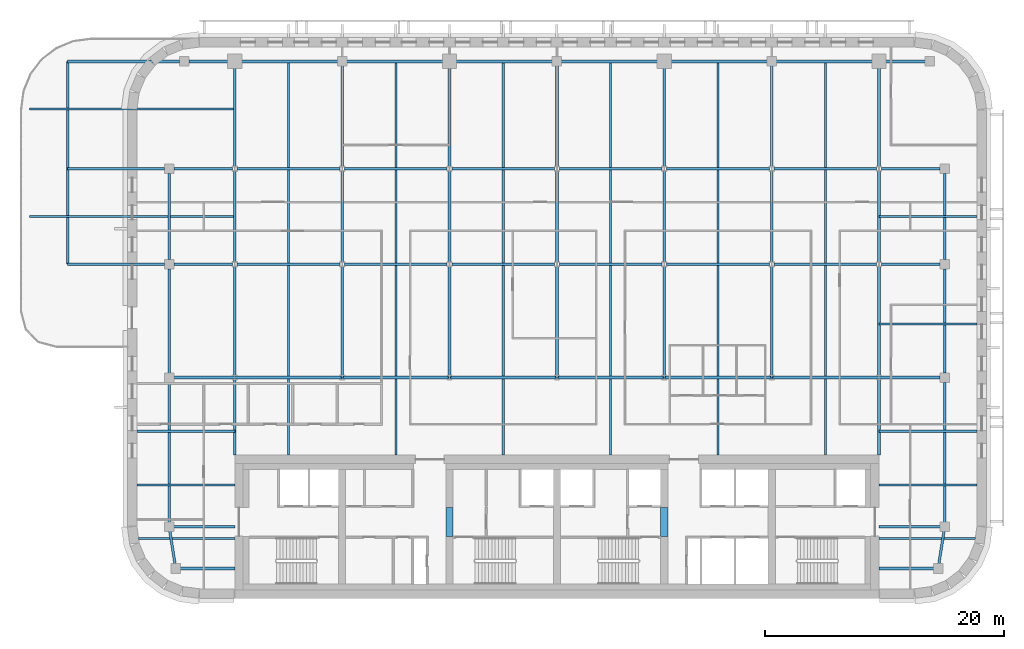
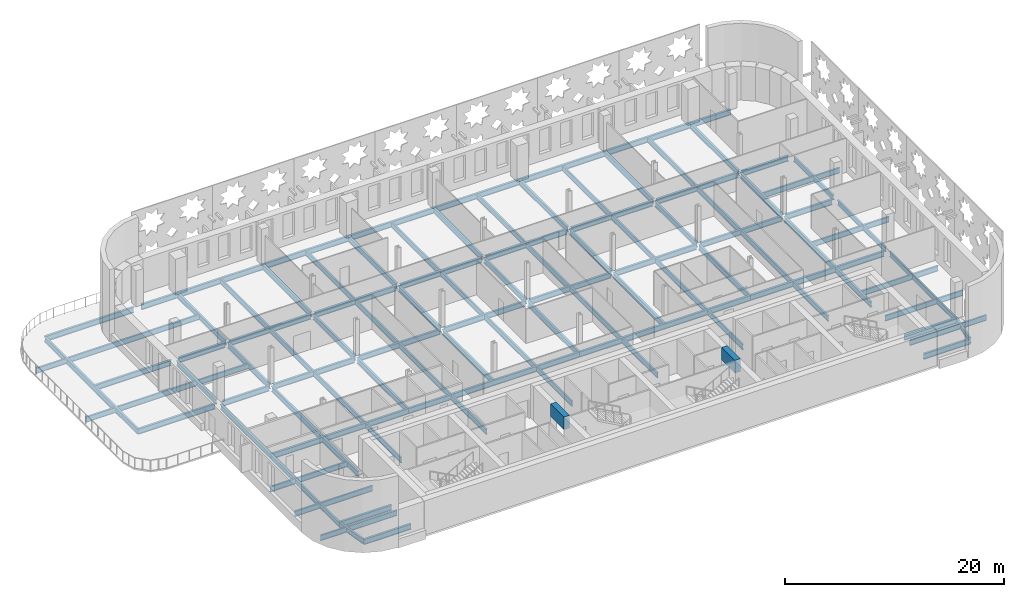
# One storey, part 4 of 17: 80 beams.
"""IFC4 building model written with IfcOpenShell, lengths in metres."""

from ifc_helpers import new_model, si_unit, direction, frame, origin, origin_2d, place, context, subcontext, project, spatial, rectangle, i_section, extrude, material, material_profile, profile_set, type_object, element, save


model = new_model("IFC4")

# Units and contexts
model_context = context("Model", 3, precision=1e-05, world=origin(), true_north=direction((0.0, 1.0)))
body_context = subcontext(model_context, "Body", "Model", "MODEL_VIEW")
ifc_project = project(units=[si_unit("LENGTHUNIT", "METRE"), si_unit("AREAUNIT", "SQUARE_METRE"), si_unit("VOLUMEUNIT", "CUBIC_METRE"), si_unit("PLANEANGLEUNIT", "RADIAN"), si_unit("MASSUNIT", "GRAM", prefix="KILO")], contexts=[model_context])

# Site, building, storey
site_placement = place(None, origin())
site = spatial("IfcSite", under=ifc_project, at=site_placement, CompositionType="ELEMENT")
building_placement = place(site_placement, origin())
building = spatial("IfcBuilding", under=site, at=building_placement, Name="Zellij Exchange Tower", CompositionType="ELEMENT")
storey_placement = place(building_placement, frame((0.0, 0.0, 256.5)))
storey = spatial("IfcBuildingStorey", under=building, at=storey_placement, Name="L60", CompositionType="ELEMENT", Elevation=256.5)

# Beams
ifc_material_1 = material(Name="Concrete C50/60", Category="concrete")
ifc_material_profile_1 = material_profile(ifc_material_1, rectangle(XDim=0.60009765625, YDim=1.39990234375, at=origin_2d()), Name="CORE-CB 600x1400 C50/60")
ifc_profile_set_1 = profile_set([ifc_material_profile_1], Name="Concrete C50/60")
beam_type_1 = type_object("IfcBeamType", Name="CORE-CB 600x1400 C50/60", PredefinedType="BEAM", material=ifc_profile_set_1)
for number, where, z_axis, x_axis, name in (
    (1, (-9.0, -8.800048828125, 3.10009765625), (0.0, 1.0, 0.0), (-1.0, 0.0, 0.0), "Core coupling beam x -9 L60"),
    (2, (9.0, -8.800048828125, 3.10009765625), (0.0, 1.0, 0.0), (-1.0, 0.0, 0.0), "Core coupling beam x 9 L60"),
):
    element("IfcBeam", number, at=place(storey_placement, frame(where, z_axis=z_axis, x_axis=x_axis)), inside=storey, type_object=beam_type_1, Name=name, PredefinedType="BEAM", context=body_context, shape_type="SweptSolid", body=[
        extrude(rectangle(XDim=0.60009765625, YDim=1.39990234375, at=origin_2d()), origin(), (0.0, 0.0, 1.0), 2.425048828125),
    ])
ifc_material_2 = material(Name="Structural steel ASTM A992 Gr 50", Category="steel")
ifc_material_profile_2 = material_profile(ifc_material_2, i_section(OverallWidth=0.177978515625, OverallDepth=0.599365234375, WebThickness=0.010009765625, FlangeThickness=0.012939453125, at=origin_2d()), Name="W24x55")
ifc_profile_set_2 = profile_set([ifc_material_profile_2], Name="Structural steel ASTM A992 Gr 50")
beam_type_2 = type_object("IfcBeamType", Name="STR-BEAM W24x55", PredefinedType="BEAM", material=ifc_profile_set_2)
for number, where, z_axis, x_axis, name in (
    (3, (-22.5, -2.0, -0.499755859375), (0.0, 1.0, 0.0), (-1.0, 0.0, 0.0), "B4"),
    (4, (-13.5, -2.0, -0.499755859375), (0.0, 1.0, 0.0), (-1.0, 0.0, 0.0), "B4"),
    (5, (-4.5, -2.0, -0.499755859375), (0.0, 1.0, 0.0), (-1.0, 0.0, 0.0), "B4"),
    (6, (4.5, -2.0, -0.499755859375), (0.0, 1.0, 0.0), (-1.0, 0.0, 0.0), "B4"),
    (7, (13.5, -2.0, -0.499755859375), (0.0, 1.0, 0.0), (-1.0, 0.0, 0.0), "B4"),
    (8, (22.5, -2.0, -0.499755859375), (0.0, 1.0, 0.0), (-1.0, 0.0, 0.0), "B4"),
):
    element("IfcBeam", number, at=place(storey_placement, frame(where, z_axis=z_axis, x_axis=x_axis)), inside=storey, type_object=beam_type_2, Name=name, PredefinedType="BEAM", context=body_context, shape_type="SweptSolid", body=[
        extrude(i_section(OverallWidth=0.177978515625, OverallDepth=0.599365234375, WebThickness=0.010009765625, FlangeThickness=0.012939453125, at=origin_2d()), origin(), (0.0, 0.0, 1.0), 33.1142578125),
    ])
beam_1_placement = place(storey_placement, frame((-35.06103515625, -9.0, -0.499755859375), z_axis=(1.0, 0.0, 0.0), x_axis=(0.0, 1.0, 0.0)))
element("IfcBeam", 9, at=beam_1_placement, inside=storey, type_object=beam_type_2, Name="B4", PredefinedType="BEAM", context=body_context, shape_type="SweptSolid", body=[
    extrude(i_section(OverallWidth=0.177978515625, OverallDepth=0.599365234375, WebThickness=0.010009765625, FlangeThickness=0.012939453125, at=origin_2d()), origin(), (0.0, 0.0, 1.0), 8.06103515625),
])
for number, where, z_axis, x_axis, name in (
    (10, (-35.199951171875, -4.5, -0.499755859375), (1.0, 0.0, 0.0), (0.0, 1.0, 0.0), "B4"),
    (11, (-35.199951171875, 0.0, -0.499755859375), (1.0, 0.0, 0.0), (0.0, 1.0, 0.0), "B4"),
):
    element("IfcBeam", number, at=place(storey_placement, frame(where, z_axis=z_axis, x_axis=x_axis)), inside=storey, type_object=beam_type_2, Name=name, PredefinedType="BEAM", context=body_context, shape_type="SweptSolid", body=[
        extrude(i_section(OverallWidth=0.177978515625, OverallDepth=0.599365234375, WebThickness=0.010009765625, FlangeThickness=0.012939453125, at=origin_2d()), origin(), (0.0, 0.0, 1.0), 8.199951171875),
    ])
beam_2_placement = place(storey_placement, frame((-44.199951171875, 18.0, -0.499755859375), z_axis=(1.0, 0.0, 0.0), x_axis=(0.0, 1.0, 0.0)))
element("IfcBeam", 12, at=beam_2_placement, inside=storey, type_object=beam_type_2, Name="B4", PredefinedType="BEAM", context=body_context, shape_type="SweptSolid", body=[
    extrude(i_section(OverallWidth=0.177978515625, OverallDepth=0.599365234375, WebThickness=0.010009765625, FlangeThickness=0.012939453125, at=origin_2d()), origin(), (0.0, 0.0, 1.0), 17.199951171875),
])
beam_3_placement = place(storey_placement, frame((-44.193115234375, 27.0, -0.499755859375), z_axis=(1.0, 0.0, 0.0), x_axis=(0.0, 1.0, 0.0)))
element("IfcBeam", 13, at=beam_3_placement, inside=storey, type_object=beam_type_2, Name="B4", PredefinedType="BEAM", context=body_context, shape_type="SweptSolid", body=[
    extrude(i_section(OverallWidth=0.177978515625, OverallDepth=0.599365234375, WebThickness=0.010009765625, FlangeThickness=0.012939453125, at=origin_2d()), origin(), (0.0, 0.0, 1.0), 17.193115234375),
])
beam_4_placement = place(storey_placement, frame((27.0, -9.0, -0.499755859375), z_axis=(1.0, 0.0, 0.0), x_axis=(0.0, 1.0, 0.0)))
element("IfcBeam", 14, at=beam_4_placement, inside=storey, type_object=beam_type_2, Name="B4", PredefinedType="BEAM", context=body_context, shape_type="SweptSolid", body=[
    extrude(i_section(OverallWidth=0.177978515625, OverallDepth=0.599365234375, WebThickness=0.010009765625, FlangeThickness=0.012939453125, at=origin_2d()), origin(), (0.0, 0.0, 1.0), 8.06103515625),
])
for number, where, z_axis, x_axis, name in (
    (15, (27.0, -4.5, -0.499755859375), (1.0, 0.0, 0.0), (0.0, 1.0, 0.0), "B4"),
    (16, (27.0, 0.0, -0.499755859375), (1.0, 0.0, 0.0), (0.0, 1.0, 0.0), "B4"),
    (17, (27.0, 9.0, -0.499755859375), (1.0, 0.0, 0.0), (0.0, 1.0, 0.0), "B4"),
    (18, (27.0, 18.0, -0.499755859375), (1.0, 0.0, 0.0), (0.0, 1.0, 0.0), "B4"),
):
    element("IfcBeam", number, at=place(storey_placement, frame(where, z_axis=z_axis, x_axis=x_axis)), inside=storey, type_object=beam_type_2, Name=name, PredefinedType="BEAM", context=body_context, shape_type="SweptSolid", body=[
        extrude(i_section(OverallWidth=0.177978515625, OverallDepth=0.599365234375, WebThickness=0.010009765625, FlangeThickness=0.012939453125, at=origin_2d()), origin(), (0.0, 0.0, 1.0), 8.199951171875),
    ])
ifc_material_profile_3 = material_profile(ifc_material_2, i_section(OverallWidth=0.209228515625, OverallDepth=0.533447265625, WebThickness=0.01025390625, FlangeThickness=0.015625, at=origin_2d()), Name="W21x62")
ifc_profile_set_3 = profile_set([ifc_material_profile_3], Name="Structural steel ASTM A992 Gr 50")
beam_type_3 = type_object("IfcBeamType", Name="STR-EDGE GIRDER W21x62", PredefinedType="BEAM", material=ifc_profile_set_3)
beam_5_placement = place(storey_placement, frame((-31.949951171875, -11.5, -0.466796875), z_axis=(-0.155251283593, 0.987875011802, 0.0), x_axis=(-0.987875011802, -0.155251283593, 0.0)))
element("IfcBeam", 19, at=beam_5_placement, inside=storey, type_object=beam_type_3, Name="EB3", PredefinedType="BEAM", context=body_context, shape_type="SweptSolid", body=[
    extrude(i_section(OverallWidth=0.209228515625, OverallDepth=0.533447265625, WebThickness=0.01025390625, FlangeThickness=0.015625, at=origin_2d()), origin(), (0.0, 0.0, 1.0), 3.54296875),
])
beam_6_placement = place(storey_placement, frame((-32.5, -8.0, -0.466796875), z_axis=(0.0, 1.0, 0.0), x_axis=(-1.0, 0.0, 0.0)))
element("IfcBeam", 20, at=beam_6_placement, inside=storey, type_object=beam_type_3, Name="EB3", PredefinedType="BEAM", context=body_context, shape_type="SweptSolid", body=[
    extrude(i_section(OverallWidth=0.209228515625, OverallDepth=0.533447265625, WebThickness=0.01025390625, FlangeThickness=0.015625, at=origin_2d()), origin(), (0.0, 0.0, 1.0), 12.5),
])
beam_7_placement = place(storey_placement, frame((-32.5, 4.5, -0.466796875), z_axis=(0.0, 1.0, 0.0), x_axis=(-1.0, 0.0, 0.0)))
element("IfcBeam", 21, at=beam_7_placement, inside=storey, type_object=beam_type_3, Name="EB3", PredefinedType="BEAM", context=body_context, shape_type="SweptSolid", body=[
    extrude(i_section(OverallWidth=0.209228515625, OverallDepth=0.533447265625, WebThickness=0.01025390625, FlangeThickness=0.015625, at=origin_2d()), origin(), (0.0, 0.0, 1.0), 9.10009765625),
])
beam_8_placement = place(storey_placement, frame((-32.5, 14.39990234375, -0.466796875), z_axis=(0.0, 1.0, 0.0), x_axis=(-1.0, 0.0, 0.0)))
element("IfcBeam", 22, at=beam_8_placement, inside=storey, type_object=beam_type_3, Name="EB3", PredefinedType="BEAM", context=body_context, shape_type="SweptSolid", body=[
    extrude(i_section(OverallWidth=0.209228515625, OverallDepth=0.533447265625, WebThickness=0.01025390625, FlangeThickness=0.015625, at=origin_2d()), origin(), (0.0, 0.0, 1.0), 7.2001953125),
])
beam_9_placement = place(storey_placement, frame((31.949951171875, -11.5, -0.466796875), z_axis=(0.155251283593, 0.987875011802, 0.0), x_axis=(-0.987875011802, 0.155251283593, 0.0)))
element("IfcBeam", 23, at=beam_9_placement, inside=storey, type_object=beam_type_3, Name="EB3", PredefinedType="BEAM", context=body_context, shape_type="SweptSolid", body=[
    extrude(i_section(OverallWidth=0.209228515625, OverallDepth=0.533447265625, WebThickness=0.01025390625, FlangeThickness=0.015625, at=origin_2d()), origin(), (0.0, 0.0, 1.0), 3.54296875),
])
beam_10_placement = place(storey_placement, frame((32.5, -8.0, -0.466796875), z_axis=(0.0, 1.0, 0.0), x_axis=(-1.0, 0.0, 0.0)))
element("IfcBeam", 24, at=beam_10_placement, inside=storey, type_object=beam_type_3, Name="EB3", PredefinedType="BEAM", context=body_context, shape_type="SweptSolid", body=[
    extrude(i_section(OverallWidth=0.209228515625, OverallDepth=0.533447265625, WebThickness=0.01025390625, FlangeThickness=0.015625, at=origin_2d()), origin(), (0.0, 0.0, 1.0), 12.10009765625),
])
beam_11_placement = place(storey_placement, frame((32.5, 4.89990234375, -0.466796875), z_axis=(0.0, 1.0, 0.0), x_axis=(-1.0, 0.0, 0.0)))
element("IfcBeam", 25, at=beam_11_placement, inside=storey, type_object=beam_type_3, Name="EB3", PredefinedType="BEAM", context=body_context, shape_type="SweptSolid", body=[
    extrude(i_section(OverallWidth=0.209228515625, OverallDepth=0.533447265625, WebThickness=0.01025390625, FlangeThickness=0.015625, at=origin_2d()), origin(), (0.0, 0.0, 1.0), 8.7001953125),
])
beam_12_placement = place(storey_placement, frame((32.5, 14.39990234375, -0.466796875), z_axis=(0.0, 1.0, 0.0), x_axis=(-1.0, 0.0, 0.0)))
element("IfcBeam", 26, at=beam_12_placement, inside=storey, type_object=beam_type_3, Name="EB3", PredefinedType="BEAM", context=body_context, shape_type="SweptSolid", body=[
    extrude(i_section(OverallWidth=0.209228515625, OverallDepth=0.533447265625, WebThickness=0.01025390625, FlangeThickness=0.015625, at=origin_2d()), origin(), (0.0, 0.0, 1.0), 7.2001953125),
])
ifc_material_profile_4 = material_profile(ifc_material_2, i_section(OverallWidth=0.228271484375, OverallDepth=0.607177734375, WebThickness=0.01123046875, FlangeThickness=0.017333984375, at=origin_2d()), Name="W24x76")
ifc_profile_set_4 = profile_set([ifc_material_profile_4], Name="Structural steel ASTM A992 Gr 50")
beam_type_4 = type_object("IfcBeamType", Name="STR-GIRDER W24x76", PredefinedType="BEAM", material=ifc_profile_set_4)
for number, where, z_axis, x_axis, name in (
    (27, (-31.949951171875, -11.5, -0.50341796875), (1.0, 0.0, 0.0), (0.0, 1.0, 0.0), "G2"),
    (28, (27.0, -11.5, -0.50341796875), (1.0, 0.0, 0.0), (0.0, 1.0, 0.0), "G2"),
):
    element("IfcBeam", number, at=place(storey_placement, frame(where, z_axis=z_axis, x_axis=x_axis)), inside=storey, type_object=beam_type_4, Name=name, PredefinedType="BEAM", context=body_context, shape_type="SweptSolid", body=[
        extrude(i_section(OverallWidth=0.228271484375, OverallDepth=0.607177734375, WebThickness=0.01123046875, FlangeThickness=0.017333984375, at=origin_2d()), origin(), (0.0, 0.0, 1.0), 4.949951171875),
    ])
for number, where, z_axis, x_axis, name in (
    (29, (-32.5, -8.0, -0.50341796875), (1.0, 0.0, 0.0), (0.0, 1.0, 0.0), "G2"),
    (30, (27.0, -8.0, -0.50341796875), (1.0, 0.0, 0.0), (0.0, 1.0, 0.0), "G2"),
):
    element("IfcBeam", number, at=place(storey_placement, frame(where, z_axis=z_axis, x_axis=x_axis)), inside=storey, type_object=beam_type_4, Name=name, PredefinedType="BEAM", context=body_context, shape_type="SweptSolid", body=[
        extrude(i_section(OverallWidth=0.228271484375, OverallDepth=0.607177734375, WebThickness=0.01123046875, FlangeThickness=0.017333984375, at=origin_2d()), origin(), (0.0, 0.0, 1.0), 5.5),
    ])
beam_13_placement = place(storey_placement, frame((-32.5, 4.5, -0.50341796875), z_axis=(1.0, 0.0, 0.0), x_axis=(0.0, 1.0, 0.0)))
element("IfcBeam", 31, at=beam_13_placement, inside=storey, type_object=beam_type_4, Name="G2", PredefinedType="BEAM", context=body_context, shape_type="SweptSolid", body=[
    extrude(i_section(OverallWidth=0.228271484375, OverallDepth=0.607177734375, WebThickness=0.01123046875, FlangeThickness=0.017333984375, at=origin_2d()), origin(), (0.0, 0.0, 1.0), 14.5),
])
for number, where, z_axis, x_axis, name in (
    (32, (-18.0, 4.5, -0.50341796875), (1.0, 0.0, 0.0), (0.0, 1.0, 0.0), "G2"),
    (33, (0.0, 4.5, -0.50341796875), (1.0, 0.0, 0.0), (0.0, 1.0, 0.0), "G2"),
):
    element("IfcBeam", number, at=place(storey_placement, frame(where, z_axis=z_axis, x_axis=x_axis)), inside=storey, type_object=beam_type_4, Name=name, PredefinedType="BEAM", context=body_context, shape_type="SweptSolid", body=[
        extrude(i_section(OverallWidth=0.228271484375, OverallDepth=0.607177734375, WebThickness=0.01123046875, FlangeThickness=0.017333984375, at=origin_2d()), origin(), (0.0, 0.0, 1.0), 18.0),
    ])
beam_14_placement = place(storey_placement, frame((18.0, 4.5, -0.50341796875), z_axis=(1.0, 0.0, 0.0), x_axis=(0.0, 1.0, 0.0)))
element("IfcBeam", 34, at=beam_14_placement, inside=storey, type_object=beam_type_4, Name="G2", PredefinedType="BEAM", context=body_context, shape_type="SweptSolid", body=[
    extrude(i_section(OverallWidth=0.228271484375, OverallDepth=0.607177734375, WebThickness=0.01123046875, FlangeThickness=0.017333984375, at=origin_2d()), origin(), (0.0, 0.0, 1.0), 14.10009765625),
])
beam_15_placement = place(storey_placement, frame((-41.0, 14.0, -0.50341796875), z_axis=(1.0, 0.0, 0.0), x_axis=(0.0, 1.0, 0.0)))
element("IfcBeam", 35, at=beam_15_placement, inside=storey, type_object=beam_type_4, Name="G2", PredefinedType="BEAM", context=body_context, shape_type="SweptSolid", body=[
    extrude(i_section(OverallWidth=0.228271484375, OverallDepth=0.607177734375, WebThickness=0.01123046875, FlangeThickness=0.017333984375, at=origin_2d()), origin(), (0.0, 0.0, 1.0), 8.10009765625),
])
beam_16_placement = place(storey_placement, frame((-32.10009765625, 14.0, -0.50341796875), z_axis=(1.0, 0.0, 0.0), x_axis=(0.0, 1.0, 0.0)))
element("IfcBeam", 36, at=beam_16_placement, inside=storey, type_object=beam_type_4, Name="G2", PredefinedType="BEAM", context=body_context, shape_type="SweptSolid", body=[
    extrude(i_section(OverallWidth=0.228271484375, OverallDepth=0.607177734375, WebThickness=0.01123046875, FlangeThickness=0.017333984375, at=origin_2d()), origin(), (0.0, 0.0, 1.0), 4.900634765625),
])
for number, where, z_axis, x_axis, name in (
    (37, (-26.800537109375, 14.0, -0.50341796875), (1.0, 0.0, 0.0), (0.0, 1.0, 0.0), "G2"),
    (38, (-17.800537109375, 14.0, -0.50341796875), (1.0, 0.0, 0.0), (0.0, 1.0, 0.0), "G2"),
    (39, (-8.800537109375, 14.0, -0.50341796875), (1.0, 0.0, 0.0), (0.0, 1.0, 0.0), "G2"),
    (40, (0.199462890625, 14.0, -0.50341796875), (1.0, 0.0, 0.0), (0.0, 1.0, 0.0), "G2"),
    (41, (9.199462890625, 14.0, -0.50341796875), (1.0, 0.0, 0.0), (0.0, 1.0, 0.0), "G2"),
    (42, (18.199462890625, 14.0, -0.50341796875), (1.0, 0.0, 0.0), (0.0, 1.0, 0.0), "G2"),
):
    element("IfcBeam", number, at=place(storey_placement, frame(where, z_axis=z_axis, x_axis=x_axis)), inside=storey, type_object=beam_type_4, Name=name, PredefinedType="BEAM", context=body_context, shape_type="SweptSolid", body=[
        extrude(i_section(OverallWidth=0.228271484375, OverallDepth=0.607177734375, WebThickness=0.01123046875, FlangeThickness=0.017333984375, at=origin_2d()), origin(), (0.0, 0.0, 1.0), 8.60107421875),
    ])
beam_17_placement = place(storey_placement, frame((27.199462890625, 14.0, -0.50341796875), z_axis=(1.0, 0.0, 0.0), x_axis=(0.0, 1.0, 0.0)))
element("IfcBeam", 43, at=beam_17_placement, inside=storey, type_object=beam_type_4, Name="G2", PredefinedType="BEAM", context=body_context, shape_type="SweptSolid", body=[
    extrude(i_section(OverallWidth=0.228271484375, OverallDepth=0.607177734375, WebThickness=0.01123046875, FlangeThickness=0.017333984375, at=origin_2d()), origin(), (0.0, 0.0, 1.0), 4.900634765625),
])
beam_18_placement = place(storey_placement, frame((-41.0, 22.0, -0.50341796875), z_axis=(1.0, 0.0, 0.0), x_axis=(0.0, 1.0, 0.0)))
element("IfcBeam", 44, at=beam_18_placement, inside=storey, type_object=beam_type_4, Name="G2", PredefinedType="BEAM", context=body_context, shape_type="SweptSolid", body=[
    extrude(i_section(OverallWidth=0.228271484375, OverallDepth=0.607177734375, WebThickness=0.01123046875, FlangeThickness=0.017333984375, at=origin_2d()), origin(), (0.0, 0.0, 1.0), 8.10009765625),
])
beam_19_placement = place(storey_placement, frame((-32.10009765625, 22.0, -0.50341796875), z_axis=(1.0, 0.0, 0.0), x_axis=(0.0, 1.0, 0.0)))
element("IfcBeam", 45, at=beam_19_placement, inside=storey, type_object=beam_type_4, Name="G2", PredefinedType="BEAM", context=body_context, shape_type="SweptSolid", body=[
    extrude(i_section(OverallWidth=0.228271484375, OverallDepth=0.607177734375, WebThickness=0.01123046875, FlangeThickness=0.017333984375, at=origin_2d()), origin(), (0.0, 0.0, 1.0), 4.900634765625),
])
for number, where, z_axis, x_axis, name in (
    (46, (-26.800537109375, 22.0, -0.50341796875), (1.0, 0.0, 0.0), (0.0, 1.0, 0.0), "G2"),
    (47, (-17.800537109375, 22.0, -0.50341796875), (1.0, 0.0, 0.0), (0.0, 1.0, 0.0), "G2"),
    (48, (-8.800537109375, 22.0, -0.50341796875), (1.0, 0.0, 0.0), (0.0, 1.0, 0.0), "G2"),
    (49, (0.199462890625, 22.0, -0.50341796875), (1.0, 0.0, 0.0), (0.0, 1.0, 0.0), "G2"),
    (50, (9.199462890625, 22.0, -0.50341796875), (1.0, 0.0, 0.0), (0.0, 1.0, 0.0), "G2"),
    (51, (18.199462890625, 22.0, -0.50341796875), (1.0, 0.0, 0.0), (0.0, 1.0, 0.0), "G2"),
):
    element("IfcBeam", number, at=place(storey_placement, frame(where, z_axis=z_axis, x_axis=x_axis)), inside=storey, type_object=beam_type_4, Name=name, PredefinedType="BEAM", context=body_context, shape_type="SweptSolid", body=[
        extrude(i_section(OverallWidth=0.228271484375, OverallDepth=0.607177734375, WebThickness=0.01123046875, FlangeThickness=0.017333984375, at=origin_2d()), origin(), (0.0, 0.0, 1.0), 8.60107421875),
    ])
beam_20_placement = place(storey_placement, frame((27.199462890625, 22.0, -0.50341796875), z_axis=(1.0, 0.0, 0.0), x_axis=(0.0, 1.0, 0.0)))
element("IfcBeam", 52, at=beam_20_placement, inside=storey, type_object=beam_type_4, Name="G2", PredefinedType="BEAM", context=body_context, shape_type="SweptSolid", body=[
    extrude(i_section(OverallWidth=0.228271484375, OverallDepth=0.607177734375, WebThickness=0.01123046875, FlangeThickness=0.017333984375, at=origin_2d()), origin(), (0.0, 0.0, 1.0), 4.900634765625),
])
beam_21_placement = place(storey_placement, frame((-41.0, 31.0, -0.50341796875), z_axis=(1.0, 0.0, 0.0), x_axis=(0.0, 1.0, 0.0)))
element("IfcBeam", 53, at=beam_21_placement, inside=storey, type_object=beam_type_4, Name="G2", PredefinedType="BEAM", context=body_context, shape_type="SweptSolid", body=[
    extrude(i_section(OverallWidth=0.228271484375, OverallDepth=0.607177734375, WebThickness=0.01123046875, FlangeThickness=0.017333984375, at=origin_2d()), origin(), (0.0, 0.0, 1.0), 9.35009765625),
])
beam_22_placement = place(storey_placement, frame((-30.85009765625, 31.0, -0.50341796875), z_axis=(1.0, 0.0, 0.0), x_axis=(0.0, 1.0, 0.0)))
element("IfcBeam", 54, at=beam_22_placement, inside=storey, type_object=beam_type_4, Name="G2", PredefinedType="BEAM", context=body_context, shape_type="SweptSolid", body=[
    extrude(i_section(OverallWidth=0.228271484375, OverallDepth=0.607177734375, WebThickness=0.01123046875, FlangeThickness=0.017333984375, at=origin_2d()), origin(), (0.0, 0.0, 1.0), 3.85009765625),
])
for number, where, z_axis, x_axis, name in (
    (55, (-27.0, 31.0, -0.50341796875), (1.0, 0.0, 0.0), (0.0, 1.0, 0.0), "G2"),
    (56, (-9.0, 31.0, -0.50341796875), (1.0, 0.0, 0.0), (0.0, 1.0, 0.0), "G2"),
    (57, (9.0, 31.0, -0.50341796875), (1.0, 0.0, 0.0), (0.0, 1.0, 0.0), "G2"),
):
    element("IfcBeam", number, at=place(storey_placement, frame(where, z_axis=z_axis, x_axis=x_axis)), inside=storey, type_object=beam_type_4, Name=name, PredefinedType="BEAM", context=body_context, shape_type="SweptSolid", body=[
        extrude(i_section(OverallWidth=0.228271484375, OverallDepth=0.607177734375, WebThickness=0.01123046875, FlangeThickness=0.017333984375, at=origin_2d()), origin(), (0.0, 0.0, 1.0), 18.0),
    ])
beam_23_placement = place(storey_placement, frame((27.0, 31.0, -0.50341796875), z_axis=(1.0, 0.0, 0.0), x_axis=(0.0, 1.0, 0.0)))
element("IfcBeam", 58, at=beam_23_placement, inside=storey, type_object=beam_type_4, Name="G2", PredefinedType="BEAM", context=body_context, shape_type="SweptSolid", body=[
    extrude(i_section(OverallWidth=0.228271484375, OverallDepth=0.607177734375, WebThickness=0.01123046875, FlangeThickness=0.017333984375, at=origin_2d()), origin(), (0.0, 0.0, 1.0), 4.25),
])
beam_24_placement = place(storey_placement, frame((-41.0, 14.0, -0.50341796875), z_axis=(0.0, 1.0, 0.0), x_axis=(-1.0, 0.0, 0.0)))
element("IfcBeam", 59, at=beam_24_placement, inside=storey, type_object=beam_type_4, Name="G2", PredefinedType="BEAM", context=body_context, shape_type="SweptSolid", body=[
    extrude(i_section(OverallWidth=0.228271484375, OverallDepth=0.607177734375, WebThickness=0.01123046875, FlangeThickness=0.017333984375, at=origin_2d()), origin(), (0.0, 0.0, 1.0), 17.0),
])
beam_25_placement = place(storey_placement, frame((-27.0, -2.0, -0.50341796875), z_axis=(0.0, 1.0, 0.0), x_axis=(-1.0, 0.0, 0.0)))
element("IfcBeam", 60, at=beam_25_placement, inside=storey, type_object=beam_type_4, Name="G2", PredefinedType="BEAM", context=body_context, shape_type="SweptSolid", body=[
    extrude(i_section(OverallWidth=0.228271484375, OverallDepth=0.607177734375, WebThickness=0.01123046875, FlangeThickness=0.017333984375, at=origin_2d()), origin(), (0.0, 0.0, 1.0), 15.806884765625),
])
beam_26_placement = place(storey_placement, frame((-27.0, 14.193115234375, -0.50341796875), z_axis=(0.0, 1.0, 0.0), x_axis=(-1.0, 0.0, 0.0)))
element("IfcBeam", 61, at=beam_26_placement, inside=storey, type_object=beam_type_4, Name="G2", PredefinedType="BEAM", context=body_context, shape_type="SweptSolid", body=[
    extrude(i_section(OverallWidth=0.228271484375, OverallDepth=0.607177734375, WebThickness=0.01123046875, FlangeThickness=0.017333984375, at=origin_2d()), origin(), (0.0, 0.0, 1.0), 7.61376953125),
])
beam_27_placement = place(storey_placement, frame((-27.0, 22.193115234375, -0.50341796875), z_axis=(0.0, 1.0, 0.0), x_axis=(-1.0, 0.0, 0.0)))
element("IfcBeam", 62, at=beam_27_placement, inside=storey, type_object=beam_type_4, Name="G2", PredefinedType="BEAM", context=body_context, shape_type="SweptSolid", body=[
    extrude(i_section(OverallWidth=0.228271484375, OverallDepth=0.607177734375, WebThickness=0.01123046875, FlangeThickness=0.017333984375, at=origin_2d()), origin(), (0.0, 0.0, 1.0), 8.806884765625),
])
beam_28_placement = place(storey_placement, frame((-18.0, 4.5, -0.50341796875), z_axis=(0.0, 1.0, 0.0), x_axis=(-1.0, 0.0, 0.0)))
element("IfcBeam", 63, at=beam_28_placement, inside=storey, type_object=beam_type_4, Name="G2", PredefinedType="BEAM", context=body_context, shape_type="SweptSolid", body=[
    extrude(i_section(OverallWidth=0.228271484375, OverallDepth=0.607177734375, WebThickness=0.01123046875, FlangeThickness=0.017333984375, at=origin_2d()), origin(), (0.0, 0.0, 1.0), 9.306884765625),
])
beam_29_placement = place(storey_placement, frame((-18.0, 14.193115234375, -0.50341796875), z_axis=(0.0, 1.0, 0.0), x_axis=(-1.0, 0.0, 0.0)))
element("IfcBeam", 64, at=beam_29_placement, inside=storey, type_object=beam_type_4, Name="G2", PredefinedType="BEAM", context=body_context, shape_type="SweptSolid", body=[
    extrude(i_section(OverallWidth=0.228271484375, OverallDepth=0.607177734375, WebThickness=0.01123046875, FlangeThickness=0.017333984375, at=origin_2d()), origin(), (0.0, 0.0, 1.0), 7.61376953125),
])
beam_30_placement = place(storey_placement, frame((-18.0, 22.193115234375, -0.50341796875), z_axis=(0.0, 1.0, 0.0), x_axis=(-1.0, 0.0, 0.0)))
element("IfcBeam", 65, at=beam_30_placement, inside=storey, type_object=beam_type_4, Name="G2", PredefinedType="BEAM", context=body_context, shape_type="SweptSolid", body=[
    extrude(i_section(OverallWidth=0.228271484375, OverallDepth=0.607177734375, WebThickness=0.01123046875, FlangeThickness=0.017333984375, at=origin_2d()), origin(), (0.0, 0.0, 1.0), 8.806884765625),
])
beam_31_placement = place(storey_placement, frame((-9.0, 4.5, -0.50341796875), z_axis=(0.0, 1.0, 0.0), x_axis=(-1.0, 0.0, 0.0)))
element("IfcBeam", 66, at=beam_31_placement, inside=storey, type_object=beam_type_4, Name="G2", PredefinedType="BEAM", context=body_context, shape_type="SweptSolid", body=[
    extrude(i_section(OverallWidth=0.228271484375, OverallDepth=0.607177734375, WebThickness=0.01123046875, FlangeThickness=0.017333984375, at=origin_2d()), origin(), (0.0, 0.0, 1.0), 9.306884765625),
])
beam_32_placement = place(storey_placement, frame((-9.0, 14.193115234375, -0.50341796875), z_axis=(0.0, 1.0, 0.0), x_axis=(-1.0, 0.0, 0.0)))
element("IfcBeam", 67, at=beam_32_placement, inside=storey, type_object=beam_type_4, Name="G2", PredefinedType="BEAM", context=body_context, shape_type="SweptSolid", body=[
    extrude(i_section(OverallWidth=0.228271484375, OverallDepth=0.607177734375, WebThickness=0.01123046875, FlangeThickness=0.017333984375, at=origin_2d()), origin(), (0.0, 0.0, 1.0), 7.61376953125),
])
beam_33_placement = place(storey_placement, frame((-9.0, 22.193115234375, -0.50341796875), z_axis=(0.0, 1.0, 0.0), x_axis=(-1.0, 0.0, 0.0)))
element("IfcBeam", 68, at=beam_33_placement, inside=storey, type_object=beam_type_4, Name="G2", PredefinedType="BEAM", context=body_context, shape_type="SweptSolid", body=[
    extrude(i_section(OverallWidth=0.228271484375, OverallDepth=0.607177734375, WebThickness=0.01123046875, FlangeThickness=0.017333984375, at=origin_2d()), origin(), (0.0, 0.0, 1.0), 8.806884765625),
])
beam_34_placement = place(storey_placement, frame((0.0, 4.5, -0.50341796875), z_axis=(0.0, 1.0, 0.0), x_axis=(-1.0, 0.0, 0.0)))
element("IfcBeam", 69, at=beam_34_placement, inside=storey, type_object=beam_type_4, Name="G2", PredefinedType="BEAM", context=body_context, shape_type="SweptSolid", body=[
    extrude(i_section(OverallWidth=0.228271484375, OverallDepth=0.607177734375, WebThickness=0.01123046875, FlangeThickness=0.017333984375, at=origin_2d()), origin(), (0.0, 0.0, 1.0), 9.306884765625),
])
beam_35_placement = place(storey_placement, frame((0.0, 14.193115234375, -0.50341796875), z_axis=(0.0, 1.0, 0.0), x_axis=(-1.0, 0.0, 0.0)))
element("IfcBeam", 70, at=beam_35_placement, inside=storey, type_object=beam_type_4, Name="G2", PredefinedType="BEAM", context=body_context, shape_type="SweptSolid", body=[
    extrude(i_section(OverallWidth=0.228271484375, OverallDepth=0.607177734375, WebThickness=0.01123046875, FlangeThickness=0.017333984375, at=origin_2d()), origin(), (0.0, 0.0, 1.0), 7.61376953125),
])
beam_36_placement = place(storey_placement, frame((0.0, 22.193115234375, -0.50341796875), z_axis=(0.0, 1.0, 0.0), x_axis=(-1.0, 0.0, 0.0)))
element("IfcBeam", 71, at=beam_36_placement, inside=storey, type_object=beam_type_4, Name="G2", PredefinedType="BEAM", context=body_context, shape_type="SweptSolid", body=[
    extrude(i_section(OverallWidth=0.228271484375, OverallDepth=0.607177734375, WebThickness=0.01123046875, FlangeThickness=0.017333984375, at=origin_2d()), origin(), (0.0, 0.0, 1.0), 8.806884765625),
])
beam_37_placement = place(storey_placement, frame((9.0, 4.5, -0.50341796875), z_axis=(0.0, 1.0, 0.0), x_axis=(-1.0, 0.0, 0.0)))
element("IfcBeam", 72, at=beam_37_placement, inside=storey, type_object=beam_type_4, Name="G2", PredefinedType="BEAM", context=body_context, shape_type="SweptSolid", body=[
    extrude(i_section(OverallWidth=0.228271484375, OverallDepth=0.607177734375, WebThickness=0.01123046875, FlangeThickness=0.017333984375, at=origin_2d()), origin(), (0.0, 0.0, 1.0), 9.306884765625),
])
beam_38_placement = place(storey_placement, frame((9.0, 14.193115234375, -0.50341796875), z_axis=(0.0, 1.0, 0.0), x_axis=(-1.0, 0.0, 0.0)))
element("IfcBeam", 73, at=beam_38_placement, inside=storey, type_object=beam_type_4, Name="G2", PredefinedType="BEAM", context=body_context, shape_type="SweptSolid", body=[
    extrude(i_section(OverallWidth=0.228271484375, OverallDepth=0.607177734375, WebThickness=0.01123046875, FlangeThickness=0.017333984375, at=origin_2d()), origin(), (0.0, 0.0, 1.0), 7.61376953125),
])
beam_39_placement = place(storey_placement, frame((9.0, 22.193115234375, -0.50341796875), z_axis=(0.0, 1.0, 0.0), x_axis=(-1.0, 0.0, 0.0)))
element("IfcBeam", 74, at=beam_39_placement, inside=storey, type_object=beam_type_4, Name="G2", PredefinedType="BEAM", context=body_context, shape_type="SweptSolid", body=[
    extrude(i_section(OverallWidth=0.228271484375, OverallDepth=0.607177734375, WebThickness=0.01123046875, FlangeThickness=0.017333984375, at=origin_2d()), origin(), (0.0, 0.0, 1.0), 8.806884765625),
])
beam_40_placement = place(storey_placement, frame((18.0, 4.5, -0.50341796875), z_axis=(0.0, 1.0, 0.0), x_axis=(-1.0, 0.0, 0.0)))
element("IfcBeam", 75, at=beam_40_placement, inside=storey, type_object=beam_type_4, Name="G2", PredefinedType="BEAM", context=body_context, shape_type="SweptSolid", body=[
    extrude(i_section(OverallWidth=0.228271484375, OverallDepth=0.607177734375, WebThickness=0.01123046875, FlangeThickness=0.017333984375, at=origin_2d()), origin(), (0.0, 0.0, 1.0), 9.306884765625),
])
beam_41_placement = place(storey_placement, frame((18.0, 14.193115234375, -0.50341796875), z_axis=(0.0, 1.0, 0.0), x_axis=(-1.0, 0.0, 0.0)))
element("IfcBeam", 76, at=beam_41_placement, inside=storey, type_object=beam_type_4, Name="G2", PredefinedType="BEAM", context=body_context, shape_type="SweptSolid", body=[
    extrude(i_section(OverallWidth=0.228271484375, OverallDepth=0.607177734375, WebThickness=0.01123046875, FlangeThickness=0.017333984375, at=origin_2d()), origin(), (0.0, 0.0, 1.0), 7.61376953125),
])
beam_42_placement = place(storey_placement, frame((18.0, 22.193115234375, -0.50341796875), z_axis=(0.0, 1.0, 0.0), x_axis=(-1.0, 0.0, 0.0)))
element("IfcBeam", 77, at=beam_42_placement, inside=storey, type_object=beam_type_4, Name="G2", PredefinedType="BEAM", context=body_context, shape_type="SweptSolid", body=[
    extrude(i_section(OverallWidth=0.228271484375, OverallDepth=0.607177734375, WebThickness=0.01123046875, FlangeThickness=0.017333984375, at=origin_2d()), origin(), (0.0, 0.0, 1.0), 8.806884765625),
])
beam_43_placement = place(storey_placement, frame((27.0, -2.0, -0.50341796875), z_axis=(0.0, 1.0, 0.0), x_axis=(-1.0, 0.0, 0.0)))
element("IfcBeam", 78, at=beam_43_placement, inside=storey, type_object=beam_type_4, Name="G2", PredefinedType="BEAM", context=body_context, shape_type="SweptSolid", body=[
    extrude(i_section(OverallWidth=0.228271484375, OverallDepth=0.607177734375, WebThickness=0.01123046875, FlangeThickness=0.017333984375, at=origin_2d()), origin(), (0.0, 0.0, 1.0), 15.806884765625),
])
beam_44_placement = place(storey_placement, frame((27.0, 14.193115234375, -0.50341796875), z_axis=(0.0, 1.0, 0.0), x_axis=(-1.0, 0.0, 0.0)))
element("IfcBeam", 79, at=beam_44_placement, inside=storey, type_object=beam_type_4, Name="G2", PredefinedType="BEAM", context=body_context, shape_type="SweptSolid", body=[
    extrude(i_section(OverallWidth=0.228271484375, OverallDepth=0.607177734375, WebThickness=0.01123046875, FlangeThickness=0.017333984375, at=origin_2d()), origin(), (0.0, 0.0, 1.0), 7.61376953125),
])
beam_45_placement = place(storey_placement, frame((27.0, 22.193115234375, -0.50341796875), z_axis=(0.0, 1.0, 0.0), x_axis=(-1.0, 0.0, 0.0)))
element("IfcBeam", 80, at=beam_45_placement, inside=storey, type_object=beam_type_4, Name="G2", PredefinedType="BEAM", context=body_context, shape_type="SweptSolid", body=[
    extrude(i_section(OverallWidth=0.228271484375, OverallDepth=0.607177734375, WebThickness=0.01123046875, FlangeThickness=0.017333984375, at=origin_2d()), origin(), (0.0, 0.0, 1.0), 8.806884765625),
])

save(model, "model.ifc")
